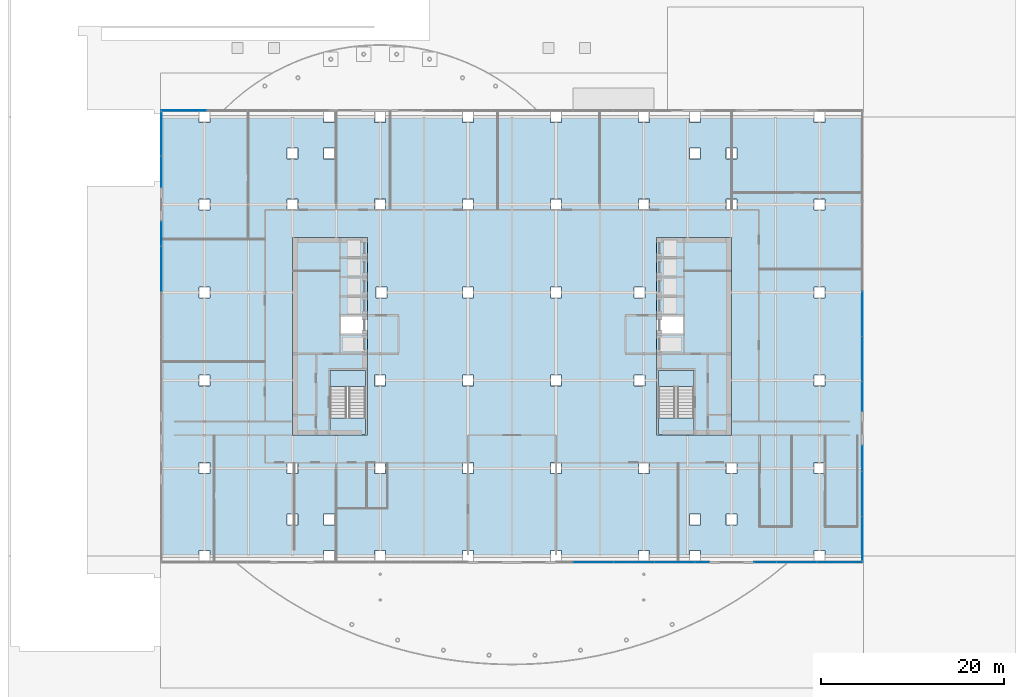
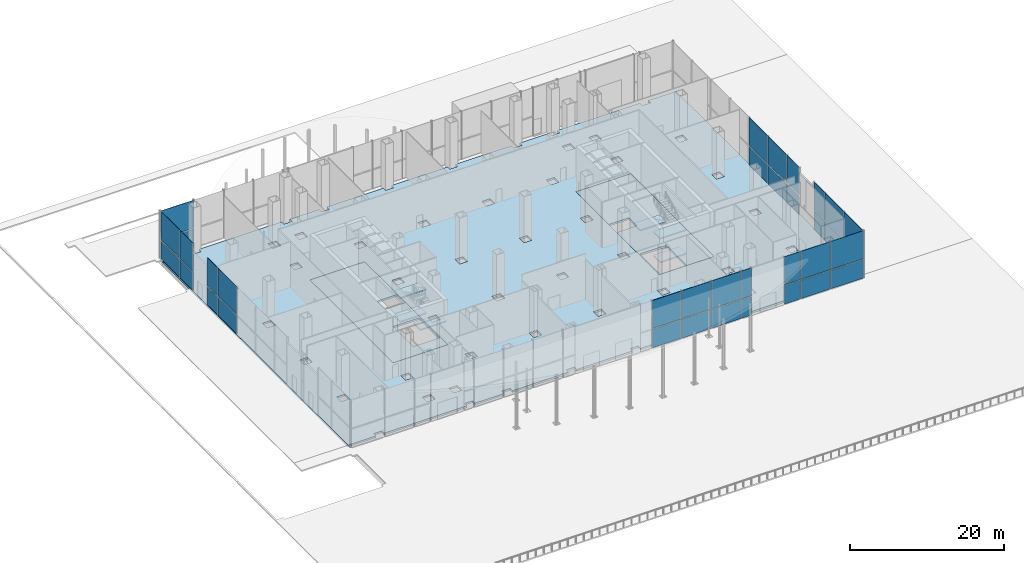
# One storey, part 22 of 36: 36 plates, 9 slabs, 9 elements without a shape of their own.
"""IFC4 building model written with IfcOpenShell, lengths in metres."""

from ifc_helpers import new_model, si_unit, direction, frame, origin, origin_2d, place, context, subcontext, project, spatial, polyline, rectangle, outline, extrude, material, layer, layer_set, type_object, element, aggregate, save


model = new_model("IFC4")

# Units and contexts
model_context = context("Model", 3, precision=1e-05, world=origin(), true_north=direction((0.0, 1.0)))
body_context = subcontext(model_context, "Body", "Model", "MODEL_VIEW")
ifc_project = project(units=[si_unit("LENGTHUNIT", "METRE"), si_unit("AREAUNIT", "SQUARE_METRE"), si_unit("VOLUMEUNIT", "CUBIC_METRE"), si_unit("PLANEANGLEUNIT", "RADIAN"), si_unit("MASSUNIT", "GRAM", prefix="KILO")], contexts=[model_context])

# Site, building, storey
site_placement = place(None, origin())
site = spatial("IfcSite", under=ifc_project, at=site_placement, CompositionType="ELEMENT")
building_placement = place(site_placement, origin())
building = spatial("IfcBuilding", under=site, at=building_placement, Name="Cobrizo Arcos Hotel Tower", CompositionType="ELEMENT")
storey_placement = place(building_placement, origin())
storey = spatial("IfcBuildingStorey", under=building, at=storey_placement, Name="L00", CompositionType="ELEMENT", Elevation=0.0)

# Curtain wall, plates
ifc_material_1 = material(Name="Aluminium 6063-T6 anodised bronze", Category="aluminium")
curtain_wall_type_1 = type_object("IfcCurtainWallType", Name="CW-A guest facade", PredefinedType="NOTDEFINED", material=ifc_material_1)
curtain_wall_1_placement = place(storey_placement, origin())
curtain_wall_1 = element("IfcCurtainWall", 1, at=curtain_wall_1_placement, inside=storey, type_object=curtain_wall_type_1, Name="CW-A L00 N face", PredefinedType="NOTDEFINED")
ifc_material_2 = material(Name="Glass clear laminated low-e", Category="glass")
ifc_layer_1 = layer(ifc_material_2, 0.0400390625)
ifc_layer_set_1 = layer_set([ifc_layer_1], Name="CW-A glass panel")
plate_type_1 = type_object("IfcPlateType", Name="CW-A glass panel", PredefinedType="CURTAIN_PANEL", material=ifc_layer_set_1)
plate_1_placement = place(storey_placement, frame((-35.839111328125, 24.675048828125, 0.0), z_axis=(0.0, 0.0, 1.0), x_axis=(-1.0, 0.0, 0.0)))
plate_1 = element("IfcPlate", 2, at=plate_1_placement, type_object=plate_type_1, Name="CW-A glass panel 26", PredefinedType="CURTAIN_PANEL", context=body_context, shape_type="SweptSolid", body=[
    extrude(rectangle(XDim=4.95166015625, YDim=0.0400390625, at=origin_2d()), origin(), (0.0, 0.0, 1.0), 2.93994140625),
])
plate_2_placement = place(storey_placement, frame((-35.839111328125, 24.675048828125, 3.06005859375), z_axis=(0.0, 0.0, 1.0), x_axis=(-1.0, 0.0, 0.0)))
plate_2 = element("IfcPlate", 3, at=plate_2_placement, type_object=plate_type_1, Name="CW-A glass panel 26", PredefinedType="CURTAIN_PANEL", context=body_context, shape_type="SweptSolid", body=[
    extrude(rectangle(XDim=4.95166015625, YDim=0.0400390625, at=origin_2d()), origin(), (0.0, 0.0, 1.0), 4.43994140625),
])
aggregate(curtain_wall_1, [plate_1, plate_2])

curtain_wall_2_placement = place(storey_placement, origin())
curtain_wall_2 = element("IfcCurtainWall", 4, at=curtain_wall_2_placement, inside=storey, type_object=curtain_wall_type_1, Name="CW-A L00 S face", PredefinedType="NOTDEFINED")
plate_3_placement = place(storey_placement, frame((8.888916015625, -24.675048828125, 0.0), z_axis=(0.0, 0.0, 1.0), x_axis=(1.0, 0.0, 0.0)))
plate_3 = element("IfcPlate", 5, at=plate_3_placement, type_object=plate_type_1, Name="CW-A glass panel 46", PredefinedType="CURTAIN_PANEL", context=body_context, shape_type="SweptSolid", body=[
    extrude(rectangle(XDim=4.384521484375, YDim=0.0400390625, at=origin_2d()), origin(), (0.0, 0.0, 1.0), 2.93994140625),
])
plate_4_placement = place(storey_placement, frame((8.888916015625, -24.675048828125, 3.06005859375), z_axis=(0.0, 0.0, 1.0), x_axis=(1.0, 0.0, 0.0)))
plate_4 = element("IfcPlate", 6, at=plate_4_placement, type_object=plate_type_1, Name="CW-A glass panel 46", PredefinedType="CURTAIN_PANEL", context=body_context, shape_type="SweptSolid", body=[
    extrude(rectangle(XDim=4.384521484375, YDim=0.0400390625, at=origin_2d()), origin(), (0.0, 0.0, 1.0), 4.43994140625),
])
plate_5_placement = place(storey_placement, frame((13.333251953125, -24.675048828125, 0.0), z_axis=(0.0, 0.0, 1.0), x_axis=(1.0, 0.0, 0.0)))
plate_5 = element("IfcPlate", 7, at=plate_5_placement, type_object=plate_type_1, Name="CW-A glass panel 47", PredefinedType="CURTAIN_PANEL", context=body_context, shape_type="SweptSolid", body=[
    extrude(rectangle(XDim=4.384521484375, YDim=0.0400390625, at=origin_2d()), origin(), (0.0, 0.0, 1.0), 2.93994140625),
])
plate_6_placement = place(storey_placement, frame((13.333251953125, -24.675048828125, 3.06005859375), z_axis=(0.0, 0.0, 1.0), x_axis=(1.0, 0.0, 0.0)))
plate_6 = element("IfcPlate", 8, at=plate_6_placement, type_object=plate_type_1, Name="CW-A glass panel 47", PredefinedType="CURTAIN_PANEL", context=body_context, shape_type="SweptSolid", body=[
    extrude(rectangle(XDim=4.384521484375, YDim=0.0400390625, at=origin_2d()), origin(), (0.0, 0.0, 1.0), 4.43994140625),
])
plate_7_placement = place(storey_placement, frame((17.77783203125, -24.675048828125, 0.0), z_axis=(0.0, 0.0, 1.0), x_axis=(1.0, 0.0, 0.0)))
plate_7 = element("IfcPlate", 9, at=plate_7_placement, type_object=plate_type_1, Name="CW-A glass panel 48", PredefinedType="CURTAIN_PANEL", context=body_context, shape_type="SweptSolid", body=[
    extrude(rectangle(XDim=4.384521484375, YDim=0.0400390625, at=origin_2d()), origin(), (0.0, 0.0, 1.0), 2.93994140625),
])
plate_8_placement = place(storey_placement, frame((17.77783203125, -24.675048828125, 3.06005859375), z_axis=(0.0, 0.0, 1.0), x_axis=(1.0, 0.0, 0.0)))
plate_8 = element("IfcPlate", 10, at=plate_8_placement, type_object=plate_type_1, Name="CW-A glass panel 48", PredefinedType="CURTAIN_PANEL", context=body_context, shape_type="SweptSolid", body=[
    extrude(rectangle(XDim=4.384521484375, YDim=0.0400390625, at=origin_2d()), origin(), (0.0, 0.0, 1.0), 4.43994140625),
])
plate_9_placement = place(storey_placement, frame((20.784912109375, -24.675048828125, 0.0), z_axis=(0.0, 0.0, 1.0), x_axis=(1.0, 0.0, 0.0)))
plate_9 = element("IfcPlate", 11, at=plate_9_placement, type_object=plate_type_1, Name="CW-A glass panel 49", PredefinedType="CURTAIN_PANEL", context=body_context, shape_type="SweptSolid", body=[
    extrude(rectangle(XDim=1.510009765625, YDim=0.0400390625, at=origin_2d()), origin(), (0.0, 0.0, 1.0), 2.93994140625),
])
plate_10_placement = place(storey_placement, frame((20.784912109375, -24.675048828125, 3.06005859375), z_axis=(0.0, 0.0, 1.0), x_axis=(1.0, 0.0, 0.0)))
plate_10 = element("IfcPlate", 12, at=plate_10_placement, type_object=plate_type_1, Name="CW-A glass panel 49", PredefinedType="CURTAIN_PANEL", context=body_context, shape_type="SweptSolid", body=[
    extrude(rectangle(XDim=1.510009765625, YDim=0.0400390625, at=origin_2d()), origin(), (0.0, 0.0, 1.0), 4.43994140625),
])
aggregate(curtain_wall_2, [plate_3, plate_4, plate_5, plate_6, plate_7, plate_8, plate_9, plate_10])

curtain_wall_3_placement = place(storey_placement, origin())
curtain_wall_3 = element("IfcCurtainWall", 13, at=curtain_wall_3_placement, inside=storey, type_object=curtain_wall_type_1, Name="CW-A L00 S face", PredefinedType="NOTDEFINED")
plate_11_placement = place(storey_placement, frame((27.659423828125, -24.675048828125, 0.0), z_axis=(0.0, 0.0, 1.0), x_axis=(1.0, 0.0, 0.0)))
plate_11 = element("IfcPlate", 14, at=plate_11_placement, type_object=plate_type_1, Name="CW-A glass panel 50", PredefinedType="CURTAIN_PANEL", context=body_context, shape_type="SweptSolid", body=[
    extrude(rectangle(XDim=2.39892578125, YDim=0.0400390625, at=origin_2d()), origin(), (0.0, 0.0, 1.0), 2.93994140625),
])
plate_12_placement = place(storey_placement, frame((27.659423828125, -24.675048828125, 3.06005859375), z_axis=(0.0, 0.0, 1.0), x_axis=(1.0, 0.0, 0.0)))
plate_12 = element("IfcPlate", 15, at=plate_12_placement, type_object=plate_type_1, Name="CW-A glass panel 50", PredefinedType="CURTAIN_PANEL", context=body_context, shape_type="SweptSolid", body=[
    extrude(rectangle(XDim=2.39892578125, YDim=0.0400390625, at=origin_2d()), origin(), (0.0, 0.0, 1.0), 4.43994140625),
])
plate_13_placement = place(storey_placement, frame((31.111083984375, -24.675048828125, 0.0), z_axis=(0.0, 0.0, 1.0), x_axis=(1.0, 0.0, 0.0)))
plate_13 = element("IfcPlate", 16, at=plate_13_placement, type_object=plate_type_1, Name="CW-A glass panel 51", PredefinedType="CURTAIN_PANEL", context=body_context, shape_type="SweptSolid", body=[
    extrude(rectangle(XDim=4.384521484375, YDim=0.0400390625, at=origin_2d()), origin(), (0.0, 0.0, 1.0), 2.93994140625),
])
plate_14_placement = place(storey_placement, frame((31.111083984375, -24.675048828125, 3.06005859375), z_axis=(0.0, 0.0, 1.0), x_axis=(1.0, 0.0, 0.0)))
plate_14 = element("IfcPlate", 17, at=plate_14_placement, type_object=plate_type_1, Name="CW-A glass panel 51", PredefinedType="CURTAIN_PANEL", context=body_context, shape_type="SweptSolid", body=[
    extrude(rectangle(XDim=4.384521484375, YDim=0.0400390625, at=origin_2d()), origin(), (0.0, 0.0, 1.0), 4.43994140625),
])
plate_15_placement = place(storey_placement, frame((35.839111328125, -24.675048828125, 0.0), z_axis=(0.0, 0.0, 1.0), x_axis=(1.0, 0.0, 0.0)))
plate_15 = element("IfcPlate", 18, at=plate_15_placement, type_object=plate_type_1, Name="CW-A glass panel 52", PredefinedType="CURTAIN_PANEL", context=body_context, shape_type="SweptSolid", body=[
    extrude(rectangle(XDim=4.95166015625, YDim=0.0400390625, at=origin_2d()), origin(), (0.0, 0.0, 1.0), 2.93994140625),
])
plate_16_placement = place(storey_placement, frame((35.839111328125, -24.675048828125, 3.06005859375), z_axis=(0.0, 0.0, 1.0), x_axis=(1.0, 0.0, 0.0)))
plate_16 = element("IfcPlate", 19, at=plate_16_placement, type_object=plate_type_1, Name="CW-A glass panel 52", PredefinedType="CURTAIN_PANEL", context=body_context, shape_type="SweptSolid", body=[
    extrude(rectangle(XDim=4.95166015625, YDim=0.0400390625, at=origin_2d()), origin(), (0.0, 0.0, 1.0), 4.43994140625),
])
aggregate(curtain_wall_3, [plate_11, plate_12, plate_13, plate_14, plate_15, plate_16])

curtain_wall_type_2 = type_object("IfcCurtainWallType", Name="CW-B podium glazing", PredefinedType="NOTDEFINED", material=ifc_material_1)
curtain_wall_4_placement = place(storey_placement, origin())
curtain_wall_4 = element("IfcCurtainWall", 20, at=curtain_wall_4_placement, inside=storey, type_object=curtain_wall_type_2, Name="CW-B L00 E face", PredefinedType="NOTDEFINED")
ifc_layer_2 = layer(ifc_material_2, 0.0400390625)
ifc_layer_set_2 = layer_set([ifc_layer_2], Name="CW-B glass panel")
plate_type_2 = type_object("IfcPlateType", Name="CW-B glass panel", PredefinedType="CURTAIN_PANEL", material=ifc_layer_set_2)
plate_17_placement = place(storey_placement, frame((38.300048828125, -22.1201171875, 0.0), z_axis=(0.0, 0.0, 1.0), x_axis=(0.0, 1.0, 0.0)))
plate_17 = element("IfcPlate", 21, at=plate_17_placement, type_object=plate_type_2, Name="CW-B glass panel 1", PredefinedType="CURTAIN_PANEL", context=body_context, shape_type="SweptSolid", body=[
    extrude(rectangle(XDim=4.800048828125, YDim=0.0400390625, at=origin_2d()), origin(), (0.0, 0.0, 1.0), 2.919921875),
])
plate_18_placement = place(storey_placement, frame((38.300048828125, -22.1201171875, 3.080078125), z_axis=(0.0, 0.0, 1.0), x_axis=(0.0, 1.0, 0.0)))
plate_18 = element("IfcPlate", 22, at=plate_18_placement, type_object=plate_type_2, Name="CW-B glass panel 1", PredefinedType="CURTAIN_PANEL", context=body_context, shape_type="SweptSolid", body=[
    extrude(rectangle(XDim=4.800048828125, YDim=0.0400390625, at=origin_2d()), origin(), (0.0, 0.0, 1.0), 4.419921875),
])
plate_19_placement = place(storey_placement, frame((38.300048828125, -17.219970703125, 0.0), z_axis=(0.0, 0.0, 1.0), x_axis=(0.0, 1.0, 0.0)))
plate_19 = element("IfcPlate", 23, at=plate_19_placement, type_object=plate_type_2, Name="CW-B glass panel 2", PredefinedType="CURTAIN_PANEL", context=body_context, shape_type="SweptSolid", body=[
    extrude(rectangle(XDim=4.840087890625, YDim=0.0400390625, at=origin_2d()), origin(), (0.0, 0.0, 1.0), 2.919921875),
])
plate_20_placement = place(storey_placement, frame((38.300048828125, -17.219970703125, 3.080078125), z_axis=(0.0, 0.0, 1.0), x_axis=(0.0, 1.0, 0.0)))
plate_20 = element("IfcPlate", 24, at=plate_20_placement, type_object=plate_type_2, Name="CW-B glass panel 2", PredefinedType="CURTAIN_PANEL", context=body_context, shape_type="SweptSolid", body=[
    extrude(rectangle(XDim=4.840087890625, YDim=0.0400390625, at=origin_2d()), origin(), (0.0, 0.0, 1.0), 4.419921875),
])
plate_21_placement = place(storey_placement, frame((38.300048828125, -13.324951171875, 0.0), z_axis=(0.0, 0.0, 1.0), x_axis=(0.0, 1.0, 0.0)))
plate_21 = element("IfcPlate", 25, at=plate_21_placement, type_object=plate_type_2, Name="CW-B glass panel 3", PredefinedType="CURTAIN_PANEL", context=body_context, shape_type="SweptSolid", body=[
    extrude(rectangle(XDim=2.7900390625, YDim=0.0400390625, at=origin_2d()), origin(), (0.0, 0.0, 1.0), 2.919921875),
])
plate_22_placement = place(storey_placement, frame((38.300048828125, -13.324951171875, 3.080078125), z_axis=(0.0, 0.0, 1.0), x_axis=(0.0, 1.0, 0.0)))
plate_22 = element("IfcPlate", 26, at=plate_22_placement, type_object=plate_type_2, Name="CW-B glass panel 3", PredefinedType="CURTAIN_PANEL", context=body_context, shape_type="SweptSolid", body=[
    extrude(rectangle(XDim=2.7900390625, YDim=0.0400390625, at=origin_2d()), origin(), (0.0, 0.0, 1.0), 4.419921875),
])
aggregate(curtain_wall_4, [plate_17, plate_18, plate_19, plate_20, plate_21, plate_22])

curtain_wall_5_placement = place(storey_placement, origin())
curtain_wall_5 = element("IfcCurtainWall", 27, at=curtain_wall_5_placement, inside=storey, type_object=curtain_wall_type_2, Name="CW-B L00 E face", PredefinedType="NOTDEFINED")
plate_23_placement = place(storey_placement, frame((38.300048828125, -6.56494140625, 0.0), z_axis=(0.0, 0.0, 1.0), x_axis=(0.0, 1.0, 0.0)))
plate_23 = element("IfcPlate", 28, at=plate_23_placement, type_object=plate_type_2, Name="CW-B glass panel 4", PredefinedType="CURTAIN_PANEL", context=body_context, shape_type="SweptSolid", body=[
    extrude(rectangle(XDim=3.2099609375, YDim=0.0400390625, at=origin_2d()), origin(), (0.0, 0.0, 1.0), 2.919921875),
])
plate_24_placement = place(storey_placement, frame((38.300048828125, -6.56494140625, 3.080078125), z_axis=(0.0, 0.0, 1.0), x_axis=(0.0, 1.0, 0.0)))
plate_24 = element("IfcPlate", 29, at=plate_24_placement, type_object=plate_type_2, Name="CW-B glass panel 4", PredefinedType="CURTAIN_PANEL", context=body_context, shape_type="SweptSolid", body=[
    extrude(rectangle(XDim=3.2099609375, YDim=0.0400390625, at=origin_2d()), origin(), (0.0, 0.0, 1.0), 4.419921875),
])
plate_25_placement = place(storey_placement, frame((38.300048828125, -2.4599609375, 0.0), z_axis=(0.0, 0.0, 1.0), x_axis=(0.0, 1.0, 0.0)))
plate_25 = element("IfcPlate", 30, at=plate_25_placement, type_object=plate_type_2, Name="CW-B glass panel 5", PredefinedType="CURTAIN_PANEL", context=body_context, shape_type="SweptSolid", body=[
    extrude(rectangle(XDim=4.840087890625, YDim=0.0400390625, at=origin_2d()), origin(), (0.0, 0.0, 1.0), 2.919921875),
])
plate_26_placement = place(storey_placement, frame((38.300048828125, -2.4599609375, 3.080078125), z_axis=(0.0, 0.0, 1.0), x_axis=(0.0, 1.0, 0.0)))
plate_26 = element("IfcPlate", 31, at=plate_26_placement, type_object=plate_type_2, Name="CW-B glass panel 5", PredefinedType="CURTAIN_PANEL", context=body_context, shape_type="SweptSolid", body=[
    extrude(rectangle(XDim=4.840087890625, YDim=0.0400390625, at=origin_2d()), origin(), (0.0, 0.0, 1.0), 4.419921875),
])
plate_27_placement = place(storey_placement, frame((38.300048828125, 2.4599609375, 0.0), z_axis=(0.0, 0.0, 1.0), x_axis=(0.0, 1.0, 0.0)))
plate_27 = element("IfcPlate", 32, at=plate_27_placement, type_object=plate_type_2, Name="CW-B glass panel 6", PredefinedType="CURTAIN_PANEL", context=body_context, shape_type="SweptSolid", body=[
    extrude(rectangle(XDim=4.840087890625, YDim=0.0400390625, at=origin_2d()), origin(), (0.0, 0.0, 1.0), 2.919921875),
])
plate_28_placement = place(storey_placement, frame((38.300048828125, 2.4599609375, 3.080078125), z_axis=(0.0, 0.0, 1.0), x_axis=(0.0, 1.0, 0.0)))
plate_28 = element("IfcPlate", 33, at=plate_28_placement, type_object=plate_type_2, Name="CW-B glass panel 6", PredefinedType="CURTAIN_PANEL", context=body_context, shape_type="SweptSolid", body=[
    extrude(rectangle(XDim=4.840087890625, YDim=0.0400390625, at=origin_2d()), origin(), (0.0, 0.0, 1.0), 4.419921875),
])
aggregate(curtain_wall_5, [plate_23, plate_24, plate_25, plate_26, plate_27, plate_28])

curtain_wall_6_placement = place(storey_placement, origin())
curtain_wall_6 = element("IfcCurtainWall", 34, at=curtain_wall_6_placement, inside=storey, type_object=curtain_wall_type_2, Name="CW-B L00 W face", PredefinedType="NOTDEFINED")
plate_29_placement = place(storey_placement, frame((-38.300048828125, 22.1201171875, 0.0), z_axis=(0.0, 0.0, 1.0), x_axis=(0.0, -1.0, 0.0)))
plate_29 = element("IfcPlate", 35, at=plate_29_placement, type_object=plate_type_2, Name="CW-B glass panel 27", PredefinedType="CURTAIN_PANEL", context=body_context, shape_type="SweptSolid", body=[
    extrude(rectangle(XDim=4.800048828125, YDim=0.0400390625, at=origin_2d()), origin(), (0.0, 0.0, 1.0), 2.919921875),
])
plate_30_placement = place(storey_placement, frame((-38.300048828125, 22.1201171875, 3.080078125), z_axis=(0.0, 0.0, 1.0), x_axis=(0.0, -1.0, 0.0)))
plate_30 = element("IfcPlate", 36, at=plate_30_placement, type_object=plate_type_2, Name="CW-B glass panel 27", PredefinedType="CURTAIN_PANEL", context=body_context, shape_type="SweptSolid", body=[
    extrude(rectangle(XDim=4.800048828125, YDim=0.0400390625, at=origin_2d()), origin(), (0.0, 0.0, 1.0), 4.419921875),
])
plate_31_placement = place(storey_placement, frame((-38.300048828125, 17.9599609375, 0.0), z_axis=(0.0, 0.0, 1.0), x_axis=(0.0, -1.0, 0.0)))
plate_31 = element("IfcPlate", 37, at=plate_31_placement, type_object=plate_type_2, Name="CW-B glass panel 28", PredefinedType="CURTAIN_PANEL", context=body_context, shape_type="SweptSolid", body=[
    extrude(rectangle(XDim=3.360107421875, YDim=0.0400390625, at=origin_2d()), origin(), (0.0, 0.0, 1.0), 2.919921875),
])
plate_32_placement = place(storey_placement, frame((-38.300048828125, 17.9599609375, 3.080078125), z_axis=(0.0, 0.0, 1.0), x_axis=(0.0, -1.0, 0.0)))
plate_32 = element("IfcPlate", 38, at=plate_32_placement, type_object=plate_type_2, Name="CW-B glass panel 28", PredefinedType="CURTAIN_PANEL", context=body_context, shape_type="SweptSolid", body=[
    extrude(rectangle(XDim=3.360107421875, YDim=0.0400390625, at=origin_2d()), origin(), (0.0, 0.0, 1.0), 4.419921875),
])
aggregate(curtain_wall_6, [plate_29, plate_30, plate_31, plate_32])

curtain_wall_7_placement = place(storey_placement, origin())
curtain_wall_7 = element("IfcCurtainWall", 39, at=curtain_wall_7_placement, inside=storey, type_object=curtain_wall_type_2, Name="CW-B L00 W face", PredefinedType="NOTDEFINED")
plate_33_placement = place(storey_placement, frame((-38.300048828125, 11.199951171875, 0.0), z_axis=(0.0, 0.0, 1.0), x_axis=(0.0, -1.0, 0.0)))
plate_33 = element("IfcPlate", 40, at=plate_33_placement, type_object=plate_type_2, Name="CW-B glass panel 29", PredefinedType="CURTAIN_PANEL", context=body_context, shape_type="SweptSolid", body=[
    extrude(rectangle(XDim=2.639892578125, YDim=0.0400390625, at=origin_2d()), origin(), (0.0, 0.0, 1.0), 2.919921875),
])
plate_34_placement = place(storey_placement, frame((-38.300048828125, 11.199951171875, 3.080078125), z_axis=(0.0, 0.0, 1.0), x_axis=(0.0, -1.0, 0.0)))
plate_34 = element("IfcPlate", 41, at=plate_34_placement, type_object=plate_type_2, Name="CW-B glass panel 29", PredefinedType="CURTAIN_PANEL", context=body_context, shape_type="SweptSolid", body=[
    extrude(rectangle(XDim=2.639892578125, YDim=0.0400390625, at=origin_2d()), origin(), (0.0, 0.0, 1.0), 4.419921875),
])
plate_35_placement = place(storey_placement, frame((-38.300048828125, 7.3798828125, 0.0), z_axis=(0.0, 0.0, 1.0), x_axis=(0.0, -1.0, 0.0)))
plate_35 = element("IfcPlate", 42, at=plate_35_placement, type_object=plate_type_2, Name="CW-B glass panel 30", PredefinedType="CURTAIN_PANEL", context=body_context, shape_type="SweptSolid", body=[
    extrude(rectangle(XDim=4.840087890625, YDim=0.0400390625, at=origin_2d()), origin(), (0.0, 0.0, 1.0), 2.919921875),
])
plate_36_placement = place(storey_placement, frame((-38.300048828125, 7.3798828125, 3.080078125), z_axis=(0.0, 0.0, 1.0), x_axis=(0.0, -1.0, 0.0)))
plate_36 = element("IfcPlate", 43, at=plate_36_placement, type_object=plate_type_2, Name="CW-B glass panel 30", PredefinedType="CURTAIN_PANEL", context=body_context, shape_type="SweptSolid", body=[
    extrude(rectangle(XDim=4.840087890625, YDim=0.0400390625, at=origin_2d()), origin(), (0.0, 0.0, 1.0), 4.419921875),
])
aggregate(curtain_wall_7, [plate_33, plate_34, plate_35, plate_36])

# Slabs
ifc_material_3 = material(Name="Concrete f'c 35 MPa", Category="concrete")
ifc_layer_3 = layer(ifc_material_3, 0.300048828125)
ifc_layer_set_3 = layer_set([ifc_layer_3], Name="Composite floor slab 300 f'c 35")
slab_type_1 = type_object("IfcSlabType", Name="Composite floor slab 300 f'c 35", PredefinedType="FLOOR", material=ifc_layer_set_3)
slab_1_placement = place(storey_placement, frame((0.0, 0.0, -0.300048828125)))
element("IfcSlab", 44, at=slab_1_placement, inside=storey, type_object=slab_type_1, Name="Floor slab S2, L00, no. 01", PredefinedType="FLOOR", context=body_context, shape_type="SweptSolid", body=[
    extrude(outline(polyline([(38.39990234375, 24.0), (38.39990234375, -24.0), (34.199951171875, -24.0), (34.199951171875, -23.39990234375), (33.0, -23.39990234375), (33.0, -24.0), (20.60009765625, -24.0), (20.60009765625, -23.39990234375), (19.39990234375, -23.39990234375), (19.39990234375, -24.0), (15.0, -24.0), (15.0, -23.39990234375), (13.800048828125, -23.39990234375), (13.800048828125, -24.0), (5.39990234375, -24.0), (5.39990234375, -23.39990234375), (4.199951171875, -23.39990234375), (4.199951171875, -24.0), (-4.199951171875, -24.0), (-4.199951171875, -23.39990234375), (-5.39990234375, -23.39990234375), (-5.39990234375, -24.0), (-13.800048828125, -24.0), (-13.800048828125, -23.39990234375), (-15.0, -23.39990234375), (-15.0, -24.0), (-19.39990234375, -24.0), (-19.39990234375, -23.39990234375), (-20.60009765625, -23.39990234375), (-20.60009765625, -24.0), (-33.0, -24.0), (-33.0, -23.39990234375), (-34.199951171875, -23.39990234375), (-34.199951171875, -24.0), (-38.39990234375, -24.0), (-38.39990234375, 24.0), (-34.199951171875, 24.0), (-34.199951171875, 23.39990234375), (-33.0, 23.39990234375), (-33.0, 24.0), (-20.60009765625, 24.0), (-20.60009765625, 23.39990234375), (-19.39990234375, 23.39990234375), (-19.39990234375, 24.0), (-15.0, 24.0), (-15.0, 23.39990234375), (-13.800048828125, 23.39990234375), (-13.800048828125, 24.0), (-5.39990234375, 24.0), (-5.39990234375, 23.39990234375), (-4.199951171875, 23.39990234375), (-4.199951171875, 24.0), (4.199951171875, 24.0), (4.199951171875, 23.39990234375), (5.39990234375, 23.39990234375), (5.39990234375, 24.0), (13.800048828125, 24.0), (13.800048828125, 23.39990234375), (15.0, 23.39990234375), (15.0, 24.0), (19.39990234375, 24.0), (19.39990234375, 23.39990234375), (20.60009765625, 23.39990234375), (20.60009765625, 24.0), (33.0, 24.0), (33.0, 23.39990234375), (34.199951171875, 23.39990234375), (34.199951171875, 24.0), (38.39990234375, 24.0)]), holes=[polyline([(-20.60009765625, -20.60009765625), (-19.39990234375, -20.60009765625), (-19.39990234375, -19.39990234375), (-20.60009765625, -19.39990234375), (-20.60009765625, -20.60009765625)]), polyline([(-23.39990234375, -20.60009765625), (-23.39990234375, -19.39990234375), (-24.60009765625, -19.39990234375), (-24.60009765625, -20.60009765625), (-23.39990234375, -20.60009765625)]), polyline([(-34.199951171875, -15.0), (-33.0, -15.0), (-33.0, -13.800048828125), (-34.199951171875, -13.800048828125), (-34.199951171875, -15.0)]), polyline([(-15.0, -15.0), (-13.800048828125, -15.0), (-13.800048828125, -13.800048828125), (-15.0, -13.800048828125), (-15.0, -15.0)]), polyline([(-23.39990234375, -15.0), (-23.39990234375, -13.800048828125), (-24.60009765625, -13.800048828125), (-24.60009765625, -15.0), (-23.39990234375, -15.0)]), polyline([(-15.0, -5.39990234375), (-13.800048828125, -5.39990234375), (-13.800048828125, -4.199951171875), (-15.0, -4.199951171875), (-15.0, -5.39990234375)]), polyline([(-34.199951171875, -5.39990234375), (-33.0, -5.39990234375), (-33.0, -4.199951171875), (-34.199951171875, -4.199951171875), (-34.199951171875, -5.39990234375)]), polyline([(-24.0, -10.800048828125), (-15.800048828125, -10.800048828125), (-15.800048828125, 10.800048828125), (-24.0, 10.800048828125), (-24.0, -10.800048828125)]), polyline([(-34.199951171875, 4.199951171875), (-33.0, 4.199951171875), (-33.0, 5.39990234375), (-34.199951171875, 5.39990234375), (-34.199951171875, 4.199951171875)]), polyline([(-24.60009765625, 13.800048828125), (-23.39990234375, 13.800048828125), (-23.39990234375, 15.0), (-24.60009765625, 15.0), (-24.60009765625, 13.800048828125)]), polyline([(-34.199951171875, 13.800048828125), (-33.0, 13.800048828125), (-33.0, 15.0), (-34.199951171875, 15.0), (-34.199951171875, 13.800048828125)]), polyline([(-13.800048828125, 13.800048828125), (-13.800048828125, 15.0), (-15.0, 15.0), (-15.0, 13.800048828125), (-13.800048828125, 13.800048828125)]), polyline([(-24.60009765625, 19.39990234375), (-23.39990234375, 19.39990234375), (-23.39990234375, 20.60009765625), (-24.60009765625, 20.60009765625), (-24.60009765625, 19.39990234375)]), polyline([(-20.60009765625, 19.39990234375), (-19.39990234375, 19.39990234375), (-19.39990234375, 20.60009765625), (-20.60009765625, 20.60009765625), (-20.60009765625, 19.39990234375)]), polyline([(13.800048828125, -15.0), (15.0, -15.0), (15.0, -13.800048828125), (13.800048828125, -13.800048828125), (13.800048828125, -15.0)]), polyline([(4.199951171875, -15.0), (5.39990234375, -15.0), (5.39990234375, -13.800048828125), (4.199951171875, -13.800048828125), (4.199951171875, -15.0)]), polyline([(-5.39990234375, -15.0), (-4.199951171875, -15.0), (-4.199951171875, -13.800048828125), (-5.39990234375, -13.800048828125), (-5.39990234375, -15.0)]), polyline([(-5.39990234375, -5.39990234375), (-4.199951171875, -5.39990234375), (-4.199951171875, -4.199951171875), (-5.39990234375, -4.199951171875), (-5.39990234375, -5.39990234375)]), polyline([(4.199951171875, -5.39990234375), (5.39990234375, -5.39990234375), (5.39990234375, -4.199951171875), (4.199951171875, -4.199951171875), (4.199951171875, -5.39990234375)]), polyline([(13.340087890625, -5.39990234375), (14.5400390625, -5.39990234375), (14.5400390625, -4.199951171875), (13.340087890625, -4.199951171875), (13.340087890625, -5.39990234375)]), polyline([(-4.199951171875, 4.199951171875), (-4.199951171875, 5.39990234375), (-5.39990234375, 5.39990234375), (-5.39990234375, 4.199951171875), (-4.199951171875, 4.199951171875)]), polyline([(4.199951171875, 4.199951171875), (5.39990234375, 4.199951171875), (5.39990234375, 5.39990234375), (4.199951171875, 5.39990234375), (4.199951171875, 4.199951171875)]), polyline([(-14.85009765625, 4.199951171875), (-13.64990234375, 4.199951171875), (-13.64990234375, 5.39990234375), (-14.85009765625, 5.39990234375), (-14.85009765625, 4.199951171875)]), polyline([(14.5400390625, 4.199951171875), (14.5400390625, 5.39990234375), (13.340087890625, 5.39990234375), (13.340087890625, 4.199951171875), (14.5400390625, 4.199951171875)]), polyline([(-5.39990234375, 13.800048828125), (-4.199951171875, 13.800048828125), (-4.199951171875, 15.0), (-5.39990234375, 15.0), (-5.39990234375, 13.800048828125)]), polyline([(4.199951171875, 13.800048828125), (5.39990234375, 13.800048828125), (5.39990234375, 15.0), (4.199951171875, 15.0), (4.199951171875, 13.800048828125)]), polyline([(23.39990234375, -20.60009765625), (24.60009765625, -20.60009765625), (24.60009765625, -19.39990234375), (23.39990234375, -19.39990234375), (23.39990234375, -20.60009765625)]), polyline([(20.60009765625, -20.60009765625), (20.60009765625, -19.39990234375), (19.39990234375, -19.39990234375), (19.39990234375, -20.60009765625), (20.60009765625, -20.60009765625)]), polyline([(23.39990234375, -15.0), (24.60009765625, -15.0), (24.60009765625, -13.800048828125), (23.39990234375, -13.800048828125), (23.39990234375, -15.0)]), polyline([(33.0, -15.0), (34.199951171875, -15.0), (34.199951171875, -13.800048828125), (33.0, -13.800048828125), (33.0, -15.0)]), polyline([(33.0, -5.39990234375), (34.199951171875, -5.39990234375), (34.199951171875, -4.199951171875), (33.0, -4.199951171875), (33.0, -5.39990234375)]), polyline([(15.800048828125, -10.800048828125), (24.0, -10.800048828125), (24.0, 10.800048828125), (15.800048828125, 10.800048828125), (15.800048828125, -10.800048828125)]), polyline([(33.0, 4.199951171875), (34.199951171875, 4.199951171875), (34.199951171875, 5.39990234375), (33.0, 5.39990234375), (33.0, 4.199951171875)]), polyline([(13.800048828125, 13.800048828125), (15.0, 13.800048828125), (15.0, 15.0), (13.800048828125, 15.0), (13.800048828125, 13.800048828125)]), polyline([(24.60009765625, 13.800048828125), (24.60009765625, 15.0), (23.39990234375, 15.0), (23.39990234375, 13.800048828125), (24.60009765625, 13.800048828125)]), polyline([(33.0, 13.800048828125), (34.199951171875, 13.800048828125), (34.199951171875, 15.0), (33.0, 15.0), (33.0, 13.800048828125)]), polyline([(19.39990234375, 19.39990234375), (20.60009765625, 19.39990234375), (20.60009765625, 20.60009765625), (19.39990234375, 20.60009765625), (19.39990234375, 19.39990234375)]), polyline([(23.39990234375, 19.39990234375), (24.60009765625, 19.39990234375), (24.60009765625, 20.60009765625), (23.39990234375, 20.60009765625), (23.39990234375, 19.39990234375)])]), origin(), (0.0, 0.0, 1.0), 0.300048828125),
])
ifc_material_4 = material(Name="Concrete f'c 60 MPa", Category="concrete")
ifc_layer_4 = layer(ifc_material_4, 0.300048828125)
ifc_layer_set_4 = layer_set([ifc_layer_4], Name="RC core floor slab 300 f'c 60")
slab_type_2 = type_object("IfcSlabType", Name="RC core floor slab 300 f'c 60", PredefinedType="FLOOR", material=ifc_layer_set_4)
slab_2_placement = place(storey_placement, frame((0.0, 0.0, -0.300048828125)))
element("IfcSlab", 45, at=slab_2_placement, inside=storey, type_object=slab_type_2, Name="Core floor slab CS2, east core, L00", PredefinedType="FLOOR", context=body_context, shape_type="SweptSolid", body=[
    extrude(outline(polyline([(15.800048828125, 10.800048828125), (24.0, 10.800048828125), (24.0, -10.800048828125), (15.800048828125, -10.800048828125), (15.800048828125, 10.800048828125)]), holes=[polyline([(19.89794921875, -10.697998046875), (19.89794921875, -5.501953125), (16.001953125, -5.501953125), (16.001953125, -10.697998046875), (19.89794921875, -10.697998046875)]), polyline([(18.798095703125, 0.201904296875), (18.798095703125, 2.298095703125), (15.802001953125, 2.298095703125), (15.802001953125, 0.201904296875), (18.798095703125, 0.201904296875)])]), origin(), (0.0, 0.0, 1.0), 0.300048828125),
])
slab_3_placement = place(storey_placement, frame((0.0, 0.0, -0.300048828125)))
element("IfcSlab", 46, at=slab_3_placement, inside=storey, type_object=slab_type_2, Name="Core floor slab CS2, west core, L00", PredefinedType="FLOOR", context=body_context, shape_type="SweptSolid", body=[
    extrude(outline(polyline([(-24.0, 10.800048828125), (-15.800048828125, 10.800048828125), (-15.800048828125, -10.800048828125), (-24.0, -10.800048828125), (-24.0, 10.800048828125)]), holes=[polyline([(-19.89794921875, -3.701904296875), (-19.89794921875, -8.89794921875), (-16.001953125, -8.89794921875), (-16.001953125, -3.701904296875), (-19.89794921875, -3.701904296875)]), polyline([(-15.802001953125, 0.201904296875), (-15.802001953125, 2.298095703125), (-18.798095703125, 2.298095703125), (-18.798095703125, 0.201904296875), (-15.802001953125, 0.201904296875)])]), origin(), (0.0, 0.0, 1.0), 0.300048828125),
])

# Stair, slabs
ifc_material_5 = material(Name="Concrete f'c 40 MPa", Category="concrete")
stair_type = type_object("IfcStairType", Name="Exit stair", PredefinedType="HALF_TURN_STAIR", material=ifc_material_5)
stair_1_placement = place(storey_placement, origin())
stair_1 = element("IfcStair", 47, at=stair_1_placement, inside=storey, type_object=stair_type, Name="L00 Exit stair ST-W", PredefinedType="HALF_TURN_STAIR")
ifc_layer_5 = layer(ifc_material_5, 0.199951171875)
ifc_layer_set_5 = layer_set([ifc_layer_5], Name="Stair landing")
slab_type_3 = type_object("IfcSlabType", Name="Stair landing", PredefinedType="LANDING", material=ifc_layer_set_5)
slab_4_placement = place(storey_placement, frame((0.0, 0.0, 1.675048828125)))
slab_4 = element("IfcSlab", 48, at=slab_4_placement, type_object=slab_type_3, Name="ST-W landing 1", PredefinedType="LANDING", context=body_context, shape_type="SweptSolid", body=[
    extrude(outline(polyline([(-16.0, -5.5), (-16.0, -3.699951171875), (-19.89990234375, -3.699951171875), (-19.89990234375, -5.5), (-16.0, -5.5)])), origin(), (0.0, 0.0, 1.0), 0.199951171875),
])
slab_5_placement = place(storey_placement, frame((0.0, 0.0, 3.550048828125)))
slab_5 = element("IfcSlab", 49, at=slab_5_placement, type_object=slab_type_3, Name="ST-W landing 2", PredefinedType="LANDING", context=body_context, shape_type="SweptSolid", body=[
    extrude(outline(polyline([(-16.0, -10.699951171875), (-16.0, -8.89990234375), (-19.89990234375, -8.89990234375), (-19.89990234375, -10.699951171875), (-16.0, -10.699951171875)])), origin(), (0.0, 0.0, 1.0), 0.199951171875),
])
slab_6_placement = place(storey_placement, frame((0.0, 0.0, 5.425048828125)))
slab_6 = element("IfcSlab", 50, at=slab_6_placement, type_object=slab_type_3, Name="ST-W landing 3", PredefinedType="LANDING", context=body_context, shape_type="SweptSolid", body=[
    extrude(outline(polyline([(-16.0, -5.5), (-16.0, -3.699951171875), (-19.89990234375, -3.699951171875), (-19.89990234375, -5.5), (-16.0, -5.5)])), origin(), (0.0, 0.0, 1.0), 0.199951171875),
])
aggregate(stair_1, [slab_4, slab_5, slab_6])

stair_2_placement = place(storey_placement, origin())
stair_2 = element("IfcStair", 51, at=stair_2_placement, inside=storey, type_object=stair_type, Name="L00 Exit stair ST-E", PredefinedType="HALF_TURN_STAIR")
slab_7_placement = place(storey_placement, frame((0.0, 0.0, 1.675048828125)))
slab_7 = element("IfcSlab", 52, at=slab_7_placement, type_object=slab_type_3, Name="ST-E landing 1", PredefinedType="LANDING", context=body_context, shape_type="SweptSolid", body=[
    extrude(outline(polyline([(16.0, -8.89990234375), (16.0, -10.699951171875), (19.89990234375, -10.699951171875), (19.89990234375, -8.89990234375), (16.0, -8.89990234375)])), origin(), (0.0, 0.0, 1.0), 0.199951171875),
])
slab_8_placement = place(storey_placement, frame((0.0, 0.0, 3.550048828125)))
slab_8 = element("IfcSlab", 53, at=slab_8_placement, type_object=slab_type_3, Name="ST-E landing 2", PredefinedType="LANDING", context=body_context, shape_type="SweptSolid", body=[
    extrude(outline(polyline([(16.0, -3.699951171875), (16.0, -5.5), (19.89990234375, -5.5), (19.89990234375, -3.699951171875), (16.0, -3.699951171875)])), origin(), (0.0, 0.0, 1.0), 0.199951171875),
])
slab_9_placement = place(storey_placement, frame((0.0, 0.0, 5.425048828125)))
slab_9 = element("IfcSlab", 54, at=slab_9_placement, type_object=slab_type_3, Name="ST-E landing 3", PredefinedType="LANDING", context=body_context, shape_type="SweptSolid", body=[
    extrude(outline(polyline([(16.0, -8.89990234375), (16.0, -10.699951171875), (19.89990234375, -10.699951171875), (19.89990234375, -8.89990234375), (16.0, -8.89990234375)])), origin(), (0.0, 0.0, 1.0), 0.199951171875),
])
aggregate(stair_2, [slab_7, slab_8, slab_9])

save(model, "model.ifc")
